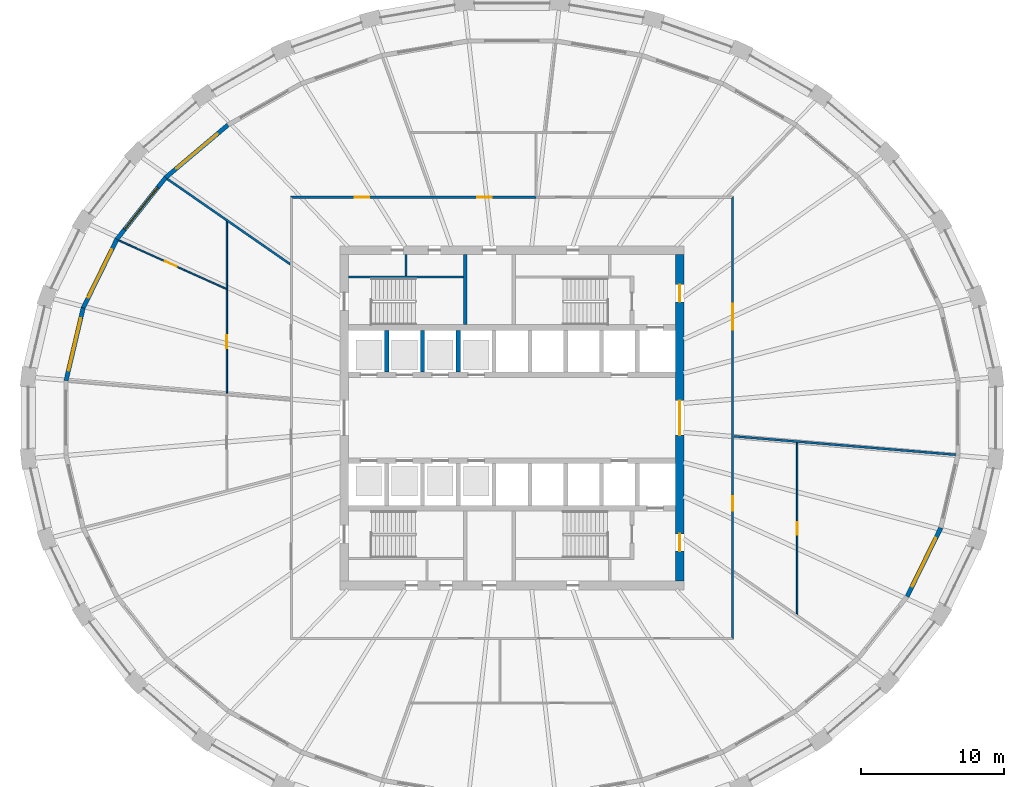
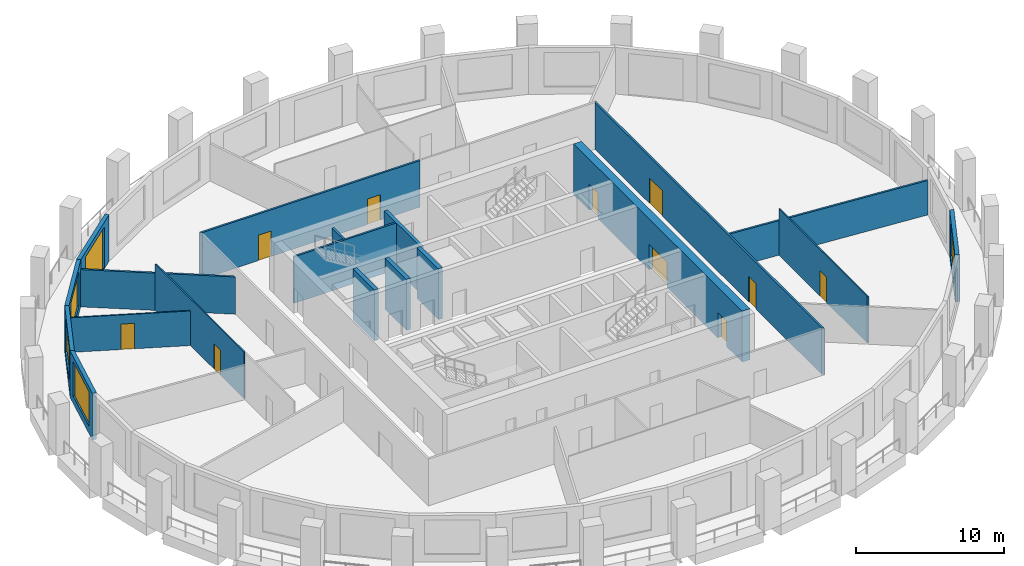
# One storey, part 5 of 10: 19 walls, 11 doors, 4 windows, 15 openings.
"""IFC4 building model written with IfcOpenShell, lengths in metres."""

from ifc_helpers import new_model, si_unit, direction, frame, frame_2d, origin, place, context, subcontext, project, spatial, polyline, rectangle, outline, extrude, material, layer, layer_set, type_object, element, fill, save


model = new_model("IFC4")

# Units and contexts
model_context = context("Model", 3, precision=1e-05, world=origin(), true_north=direction((0.0, 1.0)))
body_context = subcontext(model_context, "Body", "Model", "MODEL_VIEW")
ifc_project = project(units=[si_unit("LENGTHUNIT", "METRE"), si_unit("AREAUNIT", "SQUARE_METRE"), si_unit("VOLUMEUNIT", "CUBIC_METRE"), si_unit("PLANEANGLEUNIT", "RADIAN"), si_unit("MASSUNIT", "GRAM", prefix="KILO")], contexts=[model_context])

# Site, building, storey
site_placement = place(None, origin())
site = spatial("IfcSite", under=ifc_project, at=site_placement, CompositionType="ELEMENT")
building_placement = place(site_placement, origin())
building = spatial("IfcBuilding", under=site, at=building_placement, Name="Halqa Exchange Tower", CompositionType="ELEMENT")
storey_placement = place(building_placement, frame((0.0, 0.0, 163.300048828125)))
storey = spatial("IfcBuildingStorey", under=building, at=storey_placement, Name="L37", CompositionType="ELEMENT", Elevation=163.300048828125)

# Wall
ifc_material_1 = material(Name="Fire-rated gypsum board")
ifc_layer_1 = layer(ifc_material_1, 0.14990234375)
ifc_layer_set_1 = layer_set([ifc_layer_1], Name="Fire-rated gypsum board")
wall_type_1 = type_object("IfcWallType", Name="Fire partition EI 60 150", PredefinedType="PARTITIONING", material=ifc_layer_set_1)
wall_1_placement = place(storey_placement, frame((-24.059326171875, 16.673095703125, 0.0), z_axis=(0.0, 0.0, 1.0), x_axis=(0.821818585553, -0.569749254006, 0.0)))
element("IfcWall", 1, at=wall_1_placement, inside=storey, type_object=wall_type_1, Name="L37-PWL-003", PredefinedType="PARTITIONING", context=body_context, shape_type="SweptSolid", body=[
    extrude(outline(polyline([(0.0, -0.074951171875), (1.723876953125, -0.074951171875), (3.44775390625, -0.074951171875), (5.171630859375, -0.074951171875), (5.173095703125, -0.07373046875), (5.173828125, -0.074951171875), (6.9482421875, -0.074951171875), (8.72265625, -0.074951171875), (10.4970703125, -0.074951171875), (10.4970703125, -0.074462890625), (10.3935546875, 0.074951171875), (8.66552734375, 0.074951171875), (6.9375, 0.074951171875), (5.20947265625, 0.074951171875), (3.4814453125, 0.074951171875), (1.75341796875, 0.074951171875), (0.025146484375, 0.074951171875), (0.00439453125, -0.002197265625), (0.0, -0.071533203125), (0.0, -0.074951171875)])), origin(), (0.0, 0.0, 1.0), 3.079833984375),
])

# Wall, openings, doors
wall_2_placement = place(storey_placement, frame((-15.47509765625, 15.39990234375, 0.0), z_axis=(0.0, 0.0, 1.0), x_axis=(1.0, 0.0, 0.0)))
wall_2 = element("IfcWall", 2, at=wall_2_placement, inside=storey, type_object=wall_type_1, Name="L37-PWL-009", PredefinedType="PARTITIONING", context=body_context, shape_type="SweptSolid", body=[
    extrude(outline(polyline([(17.155029296875, 0.074951171875), (15.2490234375, 0.074951171875), (13.3427734375, 0.074951171875), (11.436767578125, 0.074951171875), (9.53076171875, 0.074951171875), (7.62451171875, 0.074951171875), (5.718505859375, 0.074951171875), (3.8125, 0.074951171875), (1.90625, 0.074951171875), (0.000244140625, 0.074951171875), (0.150146484375, -0.074951171875), (2.03955078125, -0.074951171875), (3.928955078125, -0.074951171875), (5.818359375, -0.074951171875), (7.707763671875, -0.074951171875), (9.597412109375, -0.074951171875), (11.48681640625, -0.074951171875), (13.376220703125, -0.074951171875), (15.265625, -0.074951171875), (17.155029296875, -0.074951171875), (17.155029296875, 0.074951171875)])), origin(), (0.0, 0.0, 1.0), 3.849853515625),
])
opening_1_placement = place(wall_2_placement, frame((13.050048828125, 0.0, 0.0)))
opening_1 = element("IfcOpeningElement", 3, at=opening_1_placement, cuts=wall_2, Name="Opening 11-02", PredefinedType="OPENING", context=body_context, shape_type="SweptSolid", body=[
    extrude(rectangle(XDim=1.0, YDim=2.10009765625, at=frame_2d((0.5, 1.050048828125))), frame((0.0, 0.0869140625, 0.0), z_axis=(0.0, -1.0, 0.0), x_axis=(1.0, 0.0, 0.0)), (0.0, 0.0, 1.0), 0.173828125),
])
opening_2_placement = place(wall_2_placement, frame((4.510009765625, 0.0, 0.0)))
opening_2 = element("IfcOpeningElement", 4, at=opening_2_placement, cuts=wall_2, Name="Opening 11-03", PredefinedType="OPENING", context=body_context, shape_type="SweptSolid", body=[
    extrude(rectangle(XDim=1.0, YDim=2.10009765625, at=frame_2d((0.5, 1.050048828125))), frame((0.0, 0.0869140625, 0.0), z_axis=(0.0, -1.0, 0.0), x_axis=(1.0, 0.0, 0.0)), (0.0, 0.0, 1.0), 0.173828125),
])
ifc_material_2 = material(Name="Steel fire door leaf", Category="steel")
door_type_1 = type_object("IfcDoorType", Name="Fire door FD30S 1000 x 2100", OperationType="SINGLE_SWING_LEFT", PredefinedType="DOOR", material=ifc_material_2)
door_1_placement = place(opening_1_placement, origin())
door_1 = element("IfcDoor", 5, at=door_1_placement, inside=storey, type_object=door_type_1, Name="L37-IDR-002", OperationType="SINGLE_SWING_LEFT", OverallHeight=2.10009765625, OverallWidth=1.0, PredefinedType="DOOR", context=body_context, shape_type="SweptSolid", body=[
    extrude(rectangle(XDim=1.0, YDim=2.10009765625, at=frame_2d((0.5, 1.050048828125))), frame((0.0, 0.02490234375, 0.0), z_axis=(0.0, -1.0, 0.0), x_axis=(1.0, 0.0, 0.0)), (0.0, 0.0, 1.0), 0.050048828125),
])
fill(opening_1, door_1)
door_2_placement = place(opening_2_placement, origin())
door_2 = element("IfcDoor", 6, at=door_2_placement, inside=storey, type_object=door_type_1, Name="L37-IDR-003", OperationType="SINGLE_SWING_LEFT", OverallHeight=2.10009765625, OverallWidth=1.0, PredefinedType="DOOR", context=body_context, shape_type="SweptSolid", body=[
    extrude(rectangle(XDim=1.0, YDim=2.10009765625, at=frame_2d((0.5, 1.050048828125))), frame((0.0, 0.02490234375, 0.0), z_axis=(0.0, -1.0, 0.0), x_axis=(1.0, 0.0, 0.0)), (0.0, 0.0, 1.0), 0.050048828125),
])
fill(opening_2, door_2)

wall_3_placement = place(storey_placement, frame((15.39990234375, -15.47509765625, 0.0), z_axis=(0.0, 0.0, 1.0), x_axis=(0.0, 1.0, 0.0)))
wall_3 = element("IfcWall", 7, at=wall_3_placement, inside=storey, type_object=wall_type_1, Name="L37-PWL-022", PredefinedType="PARTITIONING", context=body_context, shape_type="SweptSolid", body=[
    extrude(outline(polyline([(0.000244140625, -0.074951171875), (1.9345703125, -0.074951171875), (3.868896484375, -0.074951171875), (5.80322265625, -0.074951171875), (7.73779296875, -0.074951171875), (9.672119140625, -0.074951171875), (11.6064453125, -0.074951171875), (13.540771484375, -0.074951171875), (15.47509765625, -0.074951171875), (17.409423828125, -0.074951171875), (19.34375, -0.074951171875), (21.278076171875, -0.074951171875), (23.21240234375, -0.074951171875), (25.14697265625, -0.074951171875), (27.081298828125, -0.074951171875), (29.015625, -0.074951171875), (30.949951171875, -0.074951171875), (30.800048828125, 0.074951171875), (28.884521484375, 0.074951171875), (26.96875, 0.074951171875), (25.05322265625, 0.074951171875), (23.1376953125, 0.074951171875), (21.221923828125, 0.074951171875), (19.306396484375, 0.074951171875), (17.390625, 0.074951171875), (15.47509765625, 0.074951171875), (13.5595703125, 0.074951171875), (11.643798828125, 0.074951171875), (9.728271484375, 0.074951171875), (7.8125, 0.074951171875), (5.89697265625, 0.074951171875), (3.9814453125, 0.074951171875), (2.065673828125, 0.074951171875), (0.150146484375, 0.074951171875), (0.000244140625, -0.074951171875)])), origin(), (0.0, 0.0, 1.0), 3.849853515625),
])
opening_3_placement = place(wall_3_placement, frame((9.0, 0.0, 0.0)))
opening_3 = element("IfcOpeningElement", 8, at=opening_3_placement, cuts=wall_3, Name="Opening 11-10", PredefinedType="OPENING", context=body_context, shape_type="SweptSolid", body=[
    extrude(rectangle(XDim=1.0, YDim=2.10009765625, at=frame_2d((0.5, 1.050048828125))), frame((0.0, 0.0869140625, 0.0), z_axis=(0.0, -1.0, 0.0), x_axis=(1.0, 0.0, 0.0)), (0.0, 0.0, 1.0), 0.173828125),
])
opening_4_placement = place(wall_3_placement, frame((21.635009765625, 0.0, 0.0)))
opening_4 = element("IfcOpeningElement", 9, at=opening_4_placement, cuts=wall_3, Name="Opening 11-11", PredefinedType="OPENING", context=body_context, shape_type="SweptSolid", body=[
    extrude(rectangle(XDim=1.800048828125, YDim=2.10009765625, at=frame_2d((0.89990234375, 1.050048828125))), frame((0.0, 0.0869140625, 0.0), z_axis=(0.0, -1.0, 0.0), x_axis=(1.0, 0.0, 0.0)), (0.0, 0.0, 1.0), 0.173828125),
])
door_3_placement = place(opening_3_placement, frame((1.0, 0.0, 0.0), z_axis=(0.0, 0.0, 1.0), x_axis=(-1.0, 0.0, 0.0)))
door_3 = element("IfcDoor", 10, at=door_3_placement, inside=storey, type_object=door_type_1, Name="L37-IDR-010", OperationType="SINGLE_SWING_LEFT", OverallHeight=2.10009765625, OverallWidth=1.0, PredefinedType="DOOR", context=body_context, shape_type="SweptSolid", body=[
    extrude(rectangle(XDim=1.0, YDim=2.10009765625, at=frame_2d((0.5, 1.050048828125))), frame((0.0, 0.02490234375, 0.0), z_axis=(0.0, -1.0, 0.0), x_axis=(1.0, 0.0, 0.0)), (0.0, 0.0, 1.0), 0.050048828125),
])
fill(opening_3, door_3)
door_type_2 = type_object("IfcDoorType", Name="Fire door FD30S double 1800 x 2100", OperationType="DOUBLE_DOOR_SINGLE_SWING", PredefinedType="DOOR", material=ifc_material_2)
door_4_placement = place(opening_4_placement, frame((1.800048828125, 0.0, 0.0), z_axis=(0.0, 0.0, 1.0), x_axis=(-1.0, 0.0, 0.0)))
door_4 = element("IfcDoor", 11, at=door_4_placement, inside=storey, type_object=door_type_2, Name="L37-IDR-011", OperationType="DOUBLE_DOOR_SINGLE_SWING", OverallHeight=2.10009765625, OverallWidth=1.800048828125, PredefinedType="DOOR", context=body_context, shape_type="SweptSolid", body=[
    extrude(rectangle(XDim=1.800048828125, YDim=2.10009765625, at=frame_2d((0.89990234375, 1.050048828125))), frame((0.0, 0.02490234375, 0.0), z_axis=(0.0, -1.0, 0.0), x_axis=(1.0, 0.0, 0.0)), (0.0, 0.0, 1.0), 0.050048828125),
])
fill(opening_4, door_4)

# Wall
wall_4_placement = place(storey_placement, frame((15.46923828125, -1.285888671875, 0.0), z_axis=(0.0, 0.0, 1.0), x_axis=(0.996560145348, -0.082872653534, 0.0)))
element("IfcWall", 12, at=wall_4_placement, inside=storey, type_object=wall_type_1, Name="L37-PWL-024", PredefinedType="PARTITIONING", context=body_context, shape_type="SweptSolid", body=[
    extrude(outline(polyline([(0.011962890625, -0.074951171875), (1.50390625, -0.074951171875), (2.995849609375, -0.074951171875), (4.48779296875, -0.074951171875), (4.50244140625, -0.07373046875), (4.50244140625, -0.074951171875), (6.3427734375, -0.074951171875), (8.18310546875, -0.074951171875), (10.0234375, -0.074951171875), (11.86376953125, -0.074951171875), (13.7041015625, -0.074951171875), (15.54443359375, -0.074951171875), (15.548828125, -0.045166015625), (15.548828125, 0.074951171875), (13.605224609375, 0.074951171875), (11.66162109375, 0.074951171875), (9.718017578125, 0.074951171875), (7.7744140625, 0.074951171875), (5.830810546875, 0.074951171875), (3.88720703125, 0.074951171875), (1.943603515625, 0.074951171875), (0.0, 0.074951171875), (0.0, 0.069580078125), (0.011962890625, -0.074951171875)])), origin(), (0.0, 0.0, 1.0), 2.849853515625),
])

# Wall, opening, door
ifc_material_3 = material(Name="Gypsum board")
ifc_layer_2 = layer(ifc_material_3, 0.10009765625)
ifc_layer_set_2 = layer_set([ifc_layer_2], Name="Gypsum board")
wall_type_2 = type_object("IfcWallType", Name="Partition 100 gypsum", PredefinedType="PARTITIONING", material=ifc_layer_set_2)
wall_5_placement = place(storey_placement, frame((-19.89990234375, 1.7255859375, 0.0), z_axis=(0.0, 0.0, 1.0), x_axis=(0.0, 1.0, 0.0)))
wall_5 = element("IfcWall", 13, at=wall_5_placement, inside=storey, type_object=wall_type_2, Name="L37-PWL-005", PredefinedType="PARTITIONING", context=body_context, shape_type="SweptSolid", body=[
    extrude(outline(polyline([(0.0, -0.050048828125), (1.98974609375, -0.050048828125), (3.979248046875, -0.050048828125), (5.968994140625, -0.050048828125), (7.958740234375, -0.050048828125), (9.948486328125, -0.050048828125), (11.93798828125, -0.050048828125), (12.0068359375, 0.04931640625), (12.0068359375, 0.050048828125), (10.448486328125, 0.050048828125), (8.89013671875, 0.050048828125), (7.331787109375, 0.050048828125), (7.330810546875, 0.0478515625), (7.325927734375, 0.050048828125), (5.49658203125, 0.050048828125), (3.6669921875, 0.050048828125), (1.837646484375, 0.050048828125), (0.008056640625, 0.050048828125), (0.0, -0.046875), (0.0, -0.050048828125)])), origin(), (0.0, 0.0, 1.0), 3.849853515625),
])
opening_5_placement = place(wall_5_placement, frame((3.139404296875, 0.0, 0.0)))
opening_5 = element("IfcOpeningElement", 14, at=opening_5_placement, cuts=wall_5, Name="Opening 11-15", PredefinedType="OPENING", context=body_context, shape_type="SweptSolid", body=[
    extrude(rectangle(XDim=0.89990234375, YDim=2.10009765625, at=frame_2d((0.449951171875, 1.050048828125))), frame((0.0, 0.06201171875, 0.0), z_axis=(0.0, -1.0, 0.0), x_axis=(1.0, 0.0, 0.0)), (0.0, 0.0, 1.0), 0.1240234375),
])
ifc_material_4 = material(Name="Timber door leaf", Category="wood")
door_type_3 = type_object("IfcDoorType", Name="Door 900 x 2100", OperationType="SINGLE_SWING_LEFT", PredefinedType="DOOR", material=ifc_material_4)
door_5_placement = place(opening_5_placement, frame((0.89990234375, 0.0, 0.0), z_axis=(0.0, 0.0, 1.0), x_axis=(-1.0, 0.0, 0.0)))
door_5 = element("IfcDoor", 15, at=door_5_placement, inside=storey, type_object=door_type_3, Name="L37-IDR-015", OperationType="SINGLE_SWING_LEFT", OverallHeight=2.10009765625, OverallWidth=0.89990234375, PredefinedType="DOOR", context=body_context, shape_type="SweptSolid", body=[
    extrude(rectangle(XDim=0.89990234375, YDim=2.10009765625, at=frame_2d((0.449951171875, 1.050048828125))), frame((0.0, 0.02490234375, 0.0), z_axis=(0.0, -1.0, 0.0), x_axis=(1.0, 0.0, 0.0)), (0.0, 0.0, 1.0), 0.050048828125),
])
fill(opening_5, door_5)

wall_6_placement = place(storey_placement, frame((-19.9296875, 8.993408203125, 0.0), z_axis=(0.0, 0.0, 1.0), x_axis=(-0.911442933079, 0.411426518033, 0.0)))
wall_6 = element("IfcWall", 16, at=wall_6_placement, inside=storey, type_object=wall_type_2, Name="L37-PWL-006", PredefinedType="PARTITIONING", context=body_context, shape_type="SweptSolid", body=[
    extrude(outline(polyline([(0.044921875, -0.050048828125), (1.682861328125, -0.050048828125), (3.320556640625, -0.050048828125), (4.95849609375, -0.050048828125), (6.596435546875, -0.050048828125), (8.234130859375, -0.050048828125), (8.246826171875, 0.00048828125), (8.248291015625, 0.045654296875), (8.248291015625, 0.050048828125), (6.5986328125, 0.050048828125), (4.948974609375, 0.050048828125), (3.29931640625, 0.050048828125), (1.649658203125, 0.050048828125), (0.0, 0.050048828125), (0.0, 0.04931640625), (0.044921875, -0.050048828125)])), origin(), (0.0, 0.0, 1.0), 2.85986328125),
])
opening_6_placement = place(wall_6_placement, frame((3.807373046875, 0.0, 0.0)))
opening_6 = element("IfcOpeningElement", 17, at=opening_6_placement, cuts=wall_6, Name="Opening 11-16", PredefinedType="OPENING", context=body_context, shape_type="SweptSolid", body=[
    extrude(rectangle(XDim=0.89990234375, YDim=2.10009765625, at=frame_2d((0.449951171875, 1.050048828125))), frame((0.0, 0.06201171875, 0.0), z_axis=(0.0, -1.0, 0.0), x_axis=(1.0, 0.0, 0.0)), (0.0, 0.0, 1.0), 0.1240234375),
])
door_6_placement = place(opening_6_placement, frame((0.89990234375, 0.0, 0.0), z_axis=(0.0, 0.0, 1.0), x_axis=(-1.0, 0.0, 0.0)))
door_6 = element("IfcDoor", 18, at=door_6_placement, inside=storey, type_object=door_type_3, Name="L37-IDR-016", OperationType="SINGLE_SWING_RIGHT", OverallHeight=2.10009765625, OverallWidth=0.89990234375, PredefinedType="DOOR", context=body_context, shape_type="SweptSolid", body=[
    extrude(rectangle(XDim=0.89990234375, YDim=2.10009765625, at=frame_2d((0.449951171875, 1.050048828125))), frame((0.0, 0.02490234375, 0.0), z_axis=(0.0, -1.0, 0.0), x_axis=(1.0, 0.0, 0.0)), (0.0, 0.0, 1.0), 0.050048828125),
])
fill(opening_6, door_6)

wall_7_placement = place(storey_placement, frame((19.89990234375, -1.7255859375, 0.0), z_axis=(0.0, 0.0, 1.0), x_axis=(0.0, -1.0, 0.0)))
wall_7 = element("IfcWall", 19, at=wall_7_placement, inside=storey, type_object=wall_type_2, Name="L37-PWL-025", PredefinedType="PARTITIONING", context=body_context, shape_type="SweptSolid", body=[
    extrude(outline(polyline([(0.0, -0.050048828125), (1.98974609375, -0.050048828125), (3.979248046875, -0.050048828125), (5.968994140625, -0.050048828125), (7.958740234375, -0.050048828125), (9.948486328125, -0.050048828125), (11.93798828125, -0.050048828125), (12.0068359375, 0.04931640625), (12.0068359375, 0.050048828125), (10.007080078125, 0.050048828125), (8.00732421875, 0.050048828125), (6.00732421875, 0.050048828125), (4.007568359375, 0.050048828125), (2.0078125, 0.050048828125), (0.008056640625, 0.050048828125), (0.0, -0.046875), (0.0, -0.050048828125)])), origin(), (0.0, 0.0, 1.0), 3.849853515625),
])
opening_7_placement = place(wall_7_placement, frame((5.54443359375, 0.0, 0.0)))
opening_7 = element("IfcOpeningElement", 20, at=opening_7_placement, cuts=wall_7, Name="Opening 11-19", PredefinedType="OPENING", context=body_context, shape_type="SweptSolid", body=[
    extrude(rectangle(XDim=0.89990234375, YDim=2.10009765625, at=frame_2d((0.449951171875, 1.050048828125))), frame((0.0, 0.06201171875, 0.0), z_axis=(0.0, -1.0, 0.0), x_axis=(1.0, 0.0, 0.0)), (0.0, 0.0, 1.0), 0.1240234375),
])
door_7_placement = place(opening_7_placement, frame((0.89990234375, 0.0, 0.0), z_axis=(0.0, 0.0, 1.0), x_axis=(-1.0, 0.0, 0.0)))
door_7 = element("IfcDoor", 21, at=door_7_placement, inside=storey, type_object=door_type_3, Name="L37-IDR-019", OperationType="SINGLE_SWING_LEFT", OverallHeight=2.10009765625, OverallWidth=0.89990234375, PredefinedType="DOOR", context=body_context, shape_type="SweptSolid", body=[
    extrude(rectangle(XDim=0.89990234375, YDim=2.10009765625, at=frame_2d((0.449951171875, 1.050048828125))), frame((0.0, 0.02490234375, 0.0), z_axis=(0.0, -1.0, 0.0), x_axis=(1.0, 0.0, 0.0)), (0.0, 0.0, 1.0), 0.050048828125),
])
fill(opening_7, door_7)

# Walls
ifc_layer_3 = layer(ifc_material_3, 0.14990234375)
ifc_layer_set_3 = layer_set([ifc_layer_3], Name="Gypsum board")
wall_type_3 = type_object("IfcWallType", Name="Penthouse riser wall 150 gypsum", PredefinedType="PARTITIONING", material=ifc_layer_set_3)
wall_8_placement = place(storey_placement, frame((-7.39990234375, 9.89990234375, 0.0), z_axis=(0.0, 0.0, 1.0), x_axis=(0.0, 1.0, 0.0)))
element("IfcWall", 22, at=wall_8_placement, inside=storey, type_object=wall_type_3, Name="Partition W7.400 N", PredefinedType="PARTITIONING", context=body_context, shape_type="SweptSolid", body=[
    extrude(rectangle(XDim=1.5, YDim=0.14990234375, at=frame_2d((0.75, 0.0))), origin(), (0.0, 0.0, 1.0), 3.849853515625),
])
ifc_material_5 = material(Name="Concrete C60/75", Category="concrete")
ifc_layer_4 = layer(ifc_material_5, 0.300048828125)
ifc_layer_set_4 = layer_set([ifc_layer_4], Name="Concrete C60/75")
wall_type_4 = type_object("IfcWallType", Name="RC core wall 300", PredefinedType="SHEAR", material=ifc_layer_set_4)
for number, where, z_axis, x_axis, name in (
    (23, (-8.75, 3.199951171875, 0.0), (0.0, 0.0, 1.0), (0.0, 1.0, 0.0), "Shaft divider N1"),
    (24, (-6.25, 3.199951171875, 0.0), (0.0, 0.0, 1.0), (0.0, 1.0, 0.0), "Shaft divider N2"),
    (25, (-3.75, 3.199951171875, 0.0), (0.0, 0.0, 1.0), (0.0, 1.0, 0.0), "Shaft divider N3"),
):
    element("IfcWall", number, at=place(storey_placement, frame(where, z_axis=z_axis, x_axis=x_axis)), inside=storey, type_object=wall_type_4, Name=name, PredefinedType="SHEAR", context=body_context, shape_type="SweptSolid", body=[
        extrude(rectangle(XDim=2.900146484375, YDim=0.300048828125, at=frame_2d((1.4501953125, 0.0))), origin(), (0.0, 0.0, 1.0), 4.199951171875),
    ])

# Wall, openings, doors
ifc_material_6 = material(Name="Concrete C70/85", Category="concrete")
ifc_layer_5 = layer(ifc_material_6, 0.60009765625)
ifc_layer_set_5 = layer_set([ifc_layer_5], Name="Concrete C70/85")
wall_type_5 = type_object("IfcWallType", Name="RC core wall 600 C70/85", PredefinedType="SHEAR", material=ifc_layer_set_5)
wall_9_placement = place(storey_placement, frame((11.699951171875, -11.39990234375, 0.0), z_axis=(0.0, 0.0, 1.0), x_axis=(0.0, 1.0, 0.0)))
wall_9 = element("IfcWall", 26, at=wall_9_placement, inside=storey, type_object=wall_type_5, Name="Core wall east", PredefinedType="SHEAR", context=body_context, shape_type="SweptSolid", body=[
    extrude(rectangle(XDim=22.7998046875, YDim=0.60009765625, at=frame_2d((11.39990234375, 0.0))), origin(), (0.0, 0.0, 1.0), 4.199951171875),
])
opening_8_placement = place(wall_9_placement, frame((10.199951171875, 0.0, 0.0)))
opening_8 = element("IfcOpeningElement", 27, at=opening_8_placement, cuts=wall_9, Name="Opening T11-C14", PredefinedType="OPENING", context=body_context, shape_type="SweptSolid", body=[
    extrude(rectangle(XDim=2.39990234375, YDim=2.10009765625, at=frame_2d((1.199951171875, 1.050048828125))), frame((0.0, 0.31201171875, 0.0), z_axis=(0.0, -1.0, 0.0), x_axis=(1.0, 0.0, 0.0)), (0.0, 0.0, 1.0), 0.6240234375),
])
opening_9_placement = place(wall_9_placement, frame((19.5, 0.0, 0.0)))
opening_9 = element("IfcOpeningElement", 28, at=opening_9_placement, cuts=wall_9, Name="Opening T11-C19", PredefinedType="OPENING", context=body_context, shape_type="SweptSolid", body=[
    extrude(rectangle(XDim=1.199951171875, YDim=2.10009765625, at=frame_2d((0.60009765625, 1.050048828125))), frame((0.0, 0.31201171875, 0.0), z_axis=(0.0, -1.0, 0.0), x_axis=(1.0, 0.0, 0.0)), (0.0, 0.0, 1.0), 0.6240234375),
])
opening_10_placement = place(wall_9_placement, frame((2.10009765625, 0.0, 0.0)))
opening_10 = element("IfcOpeningElement", 29, at=opening_10_placement, cuts=wall_9, Name="Opening T11-C20", PredefinedType="OPENING", context=body_context, shape_type="SweptSolid", body=[
    extrude(rectangle(XDim=1.199951171875, YDim=2.10009765625, at=frame_2d((0.60009765625, 1.050048828125))), frame((0.0, 0.31201171875, 0.0), z_axis=(0.0, -1.0, 0.0), x_axis=(1.0, 0.0, 0.0)), (0.0, 0.0, 1.0), 0.6240234375),
])
door_type_4 = type_object("IfcDoorType", Name="Firefighting lobby door FD90 1200 x 2100", OperationType="SINGLE_SWING_RIGHT", PredefinedType="DOOR", material=ifc_material_2)
door_8_placement = place(opening_9_placement, origin())
door_8 = element("IfcDoor", 30, at=door_8_placement, inside=storey, type_object=door_type_4, Name="Firefighting lobby door", OperationType="SINGLE_SWING_RIGHT", OverallHeight=2.10009765625, OverallWidth=1.199951171875, PredefinedType="DOOR", context=body_context, shape_type="SweptSolid", body=[
    extrude(rectangle(XDim=1.199951171875, YDim=2.10009765625, at=frame_2d((0.60009765625, 1.050048828125))), frame((0.0, 0.02490234375, 0.0), z_axis=(0.0, -1.0, 0.0), x_axis=(1.0, 0.0, 0.0)), (0.0, 0.0, 1.0), 0.050048828125),
])
fill(opening_9, door_8)
door_9_placement = place(opening_10_placement, origin())
door_9 = element("IfcDoor", 31, at=door_9_placement, inside=storey, type_object=door_type_4, Name="Firefighting lobby door", OperationType="SINGLE_SWING_LEFT", OverallHeight=2.10009765625, OverallWidth=1.199951171875, PredefinedType="DOOR", context=body_context, shape_type="SweptSolid", body=[
    extrude(rectangle(XDim=1.199951171875, YDim=2.10009765625, at=frame_2d((0.60009765625, 1.050048828125))), frame((0.0, 0.02490234375, 0.0), z_axis=(0.0, -1.0, 0.0), x_axis=(1.0, 0.0, 0.0)), (0.0, 0.0, 1.0), 0.050048828125),
])
fill(opening_10, door_9)
door_type_5 = type_object("IfcDoorType", Name="Lobby double door FD60 2400 x 2100", OperationType="DOUBLE_DOOR_SINGLE_SWING", PredefinedType="DOOR", material=ifc_material_2)
door_10_placement = place(opening_8_placement, origin())
door_10 = element("IfcDoor", 32, at=door_10_placement, inside=storey, type_object=door_type_5, Name="Lift lobby double door", OperationType="DOUBLE_DOOR_SINGLE_SWING", OverallHeight=2.10009765625, OverallWidth=2.39990234375, PredefinedType="DOOR", context=body_context, shape_type="SweptSolid", body=[
    extrude(rectangle(XDim=2.39990234375, YDim=2.10009765625, at=frame_2d((1.199951171875, 1.050048828125))), frame((0.0, 0.02490234375, 0.0), z_axis=(0.0, -1.0, 0.0), x_axis=(1.0, 0.0, 0.0)), (0.0, 0.0, 1.0), 0.050048828125),
])
fill(opening_8, door_10)

# Walls
ifc_material_7 = material(Name="Concrete C30/37", Category="concrete")
ifc_layer_6 = layer(ifc_material_7, 0.14990234375)
ifc_layer_set_6 = layer_set([ifc_layer_6], Name="Concrete C30/37")
wall_type_6 = type_object("IfcWallType", Name="RC stair wall 150 C30/37", PredefinedType="SHEAR", material=ifc_layer_set_6)
wall_10_placement = place(storey_placement, frame((-11.39990234375, 9.824951171875, 0.0), z_axis=(0.0, 0.0, 1.0), x_axis=(1.0, 0.0, 0.0)))
element("IfcWall", 33, at=wall_10_placement, inside=storey, type_object=wall_type_6, Name="Stair ST1 north wall N", PredefinedType="SHEAR", context=body_context, shape_type="SweptSolid", body=[
    extrude(rectangle(XDim=8.0, YDim=0.14990234375, at=frame_2d((4.0, 0.0))), origin(), (0.0, 0.0, 1.0), 3.849853515625),
])
ifc_layer_7 = layer(ifc_material_7, 0.25)
ifc_layer_set_7 = layer_set([ifc_layer_7], Name="Concrete C30/37")
wall_type_7 = type_object("IfcWallType", Name="RC stair wall 250 C30/37", PredefinedType="SHEAR", material=ifc_layer_set_7)
wall_11_placement = place(storey_placement, frame((-3.27490234375, 6.5, 0.0), z_axis=(0.0, 0.0, 1.0), x_axis=(0.0, 1.0, 0.0)))
element("IfcWall", 34, at=wall_11_placement, inside=storey, type_object=wall_type_7, Name="Stair ST1 east wall N", PredefinedType="SHEAR", context=body_context, shape_type="SweptSolid", body=[
    extrude(rectangle(XDim=4.89990234375, YDim=0.25, at=frame_2d((2.449951171875, 0.0))), origin(), (0.0, 0.0, 1.0), 3.849853515625),
])

# Wall, opening, door
ifc_material_8 = material(Name="Limestone cladding", Category="masonry")
ifc_layer_8 = layer(ifc_material_8, 0.0400390625)
ifc_material_9 = material(Name="Ventilated cavity")
ifc_layer_9 = layer(ifc_material_9, 0.030029296875, ventilated=True)
ifc_material_10 = material(Name="Mineral wool insulation")
ifc_layer_10 = layer(ifc_material_10, 0.10009765625)
ifc_layer_11 = layer(ifc_material_7, 0.10009765625)
ifc_material_11 = material(Name="Internal plaster")
ifc_layer_12 = layer(ifc_material_11, 0.030029296875)
ifc_layer_set_8 = layer_set([ifc_layer_8, ifc_layer_9, ifc_layer_10, ifc_layer_11, ifc_layer_12], Name="Stone-faced insulated wall 300")
wall_type_8 = type_object("IfcWallType", Name="Stone-faced insulated wall 300", PredefinedType="STANDARD", material=ifc_layer_set_8)
wall_12_placement = place(storey_placement, frame((-19.8291015625, 20.434814453125, 0.0), z_axis=(0.0, 0.0, 1.0), x_axis=(-0.764076096085, -0.645126126732, 0.0)))
wall_12 = element("IfcWall", 35, at=wall_12_placement, inside=storey, type_object=wall_type_8, Name="Glass-line wall 12", PredefinedType="STANDARD", context=body_context, shape_type="SweptSolid", body=[
    extrude(outline(polyline([(-0.01416015625, -0.14990234375), (5.690185546875, -0.14990234375), (5.659912109375, 0.14990234375), (0.01416015625, 0.14990234375), (-0.01416015625, -0.14990234375)])), origin(), (0.0, 0.0, 1.0), 3.849853515625),
])
opening_11_placement = place(wall_12_placement, frame((0.96240234375, 0.0, 0.0)))
opening_11 = element("IfcOpeningElement", 36, at=opening_11_placement, cuts=wall_12, Name="Opening LG-F2-03", PredefinedType="OPENING", context=body_context, shape_type="SweptSolid", body=[
    extrude(rectangle(XDim=3.75, YDim=3.449951171875, at=frame_2d((1.875, 1.72509765625))), frame((0.0, 0.162109375, 0.0), z_axis=(0.0, -1.0, 0.0), x_axis=(1.0, 0.0, 0.0)), (0.0, 0.0, 1.0), 0.323974609375),
])
ifc_material_12 = material(Name="Clear low-emissivity glass in aluminium frame", Category="aluminium")
door_type_6 = type_object("IfcDoorType", Name="Glazed sliding loggia door 3750 x 3450", OperationType="DOUBLE_DOOR_SLIDING", PredefinedType="DOOR", material=ifc_material_12)
door_11_placement = place(opening_11_placement, origin())
door_11 = element("IfcDoor", 37, at=door_11_placement, inside=storey, type_object=door_type_6, Name="Loggia door 3", OperationType="DOUBLE_DOOR_SLIDING", OverallHeight=3.449951171875, OverallWidth=3.75, PredefinedType="DOOR", context=body_context, shape_type="SweptSolid", body=[
    extrude(rectangle(XDim=3.75, YDim=3.449951171875, at=frame_2d((1.875, 1.72509765625))), frame((0.0, 0.02490234375, 0.0), z_axis=(0.0, -1.0, 0.0), x_axis=(1.0, 0.0, 0.0)), (0.0, 0.0, 1.0), 0.050048828125),
])
fill(opening_11, door_11)

# Wall, opening, window
wall_13_placement = place(storey_placement, frame((-24.165283203125, 16.773681640625, 0.0), z_axis=(0.0, 0.0, 1.0), x_axis=(-0.620577705153, -0.784144955902, 0.0)))
wall_13 = element("IfcWall", 38, at=wall_13_placement, inside=storey, type_object=wall_type_8, Name="Glass-line wall 13", PredefinedType="STANDARD", context=body_context, shape_type="SweptSolid", body=[
    extrude(outline(polyline([(-0.01513671875, -0.14990234375), (5.5087890625, -0.14990234375), (5.4765625, 0.14990234375), (0.01513671875, 0.14990234375), (-0.01513671875, -0.14990234375)])), origin(), (0.0, 0.0, 1.0), 3.849853515625),
])
opening_12_placement = place(wall_13_placement, frame((0.871337890625, 0.0, 0.60009765625)))
opening_12 = element("IfcOpeningElement", 39, at=opening_12_placement, cuts=wall_13, Name="Opening W-F2-13", PredefinedType="OPENING", context=body_context, shape_type="SweptSolid", body=[
    extrude(rectangle(XDim=3.75, YDim=2.85009765625, at=frame_2d((1.875, 1.425048828125))), frame((0.0, 0.162109375, 0.0), z_axis=(0.0, -1.0, 0.0), x_axis=(1.0, 0.0, 0.0)), (0.0, 0.0, 1.0), 0.323974609375),
])
window_type = type_object("IfcWindowType", Name="Fixed clear glazed window 3750 x 2850", PartitioningType="TRIPLE_PANEL_VERTICAL", PredefinedType="WINDOW", material=ifc_material_12)
window_1_placement = place(opening_12_placement, origin())
window_1 = element("IfcWindow", 40, at=window_1_placement, inside=storey, type_object=window_type, Name="Window 2", OverallHeight=2.85009765625, OverallWidth=3.75, PartitioningType="TRIPLE_PANEL_VERTICAL", PredefinedType="WINDOW", context=body_context, shape_type="SweptSolid", body=[
    extrude(rectangle(XDim=3.75, YDim=2.85009765625, at=frame_2d((1.875, 1.425048828125))), frame((0.0, 0.030029296875, 0.0), z_axis=(0.0, -1.0, 0.0), x_axis=(1.0, 0.0, 0.0)), (0.0, 0.0, 1.0), 0.06005859375),
])
fill(opening_12, window_1)

wall_14_placement = place(storey_placement, frame((-27.573974609375, 12.466552734375, 0.0), z_axis=(0.0, 0.0, 1.0), x_axis=(-0.440444485575, -0.897779847806, 0.0)))
wall_14 = element("IfcWall", 41, at=wall_14_placement, inside=storey, type_object=wall_type_8, Name="Glass-line wall 14", PredefinedType="STANDARD", context=body_context, shape_type="SweptSolid", body=[
    extrude(outline(polyline([(-0.01611328125, -0.14990234375), (5.350341796875, -0.14990234375), (5.316650390625, 0.14990234375), (0.01611328125, 0.14990234375), (-0.01611328125, -0.14990234375)])), origin(), (0.0, 0.0, 1.0), 3.849853515625),
])
opening_13_placement = place(wall_14_placement, frame((0.791748046875, 0.0, 0.60009765625)))
opening_13 = element("IfcOpeningElement", 42, at=opening_13_placement, cuts=wall_14, Name="Opening W-F2-14", PredefinedType="OPENING", context=body_context, shape_type="SweptSolid", body=[
    extrude(rectangle(XDim=3.75, YDim=2.85009765625, at=frame_2d((1.875, 1.425048828125))), frame((0.0, 0.162109375, 0.0), z_axis=(0.0, -1.0, 0.0), x_axis=(1.0, 0.0, 0.0)), (0.0, 0.0, 1.0), 0.323974609375),
])
window_2_placement = place(opening_13_placement, origin())
window_2 = element("IfcWindow", 43, at=window_2_placement, inside=storey, type_object=window_type, Name="Window 2", OverallHeight=2.85009765625, OverallWidth=3.75, PartitioningType="TRIPLE_PANEL_VERTICAL", PredefinedType="WINDOW", context=body_context, shape_type="SweptSolid", body=[
    extrude(rectangle(XDim=3.75, YDim=2.85009765625, at=frame_2d((1.875, 1.425048828125))), frame((0.0, 0.030029296875, 0.0), z_axis=(0.0, -1.0, 0.0), x_axis=(1.0, 0.0, 0.0)), (0.0, 0.0, 1.0), 0.06005859375),
])
fill(opening_13, window_2)

wall_15_placement = place(storey_placement, frame((-29.923095703125, 7.67822265625, 0.0), z_axis=(0.0, 0.0, 1.0), x_axis=(-0.229297175564, -0.973356463624, 0.0)))
wall_15 = element("IfcWall", 44, at=wall_15_placement, inside=storey, type_object=wall_type_8, Name="Glass-line wall 15", PredefinedType="STANDARD", context=body_context, shape_type="SweptSolid", body=[
    extrude(outline(polyline([(-0.016845703125, -0.14990234375), (5.241943359375, -0.14990234375), (5.207275390625, 0.14990234375), (0.016845703125, 0.14990234375), (-0.016845703125, -0.14990234375)])), origin(), (0.0, 0.0, 1.0), 3.849853515625),
])
opening_14_placement = place(wall_15_placement, frame((0.7373046875, 0.0, 0.60009765625)))
opening_14 = element("IfcOpeningElement", 45, at=opening_14_placement, cuts=wall_15, Name="Opening W-F2-15", PredefinedType="OPENING", context=body_context, shape_type="SweptSolid", body=[
    extrude(rectangle(XDim=3.75, YDim=2.85009765625, at=frame_2d((1.875, 1.425048828125))), frame((0.0, 0.162109375, 0.0), z_axis=(0.0, -1.0, 0.0), x_axis=(1.0, 0.0, 0.0)), (0.0, 0.0, 1.0), 0.323974609375),
])
window_3_placement = place(opening_14_placement, origin())
window_3 = element("IfcWindow", 46, at=window_3_placement, inside=storey, type_object=window_type, Name="Window 2", OverallHeight=2.85009765625, OverallWidth=3.75, PartitioningType="TRIPLE_PANEL_VERTICAL", PredefinedType="WINDOW", context=body_context, shape_type="SweptSolid", body=[
    extrude(rectangle(XDim=3.75, YDim=2.85009765625, at=frame_2d((1.875, 1.425048828125))), frame((0.0, 0.030029296875, 0.0), z_axis=(0.0, -1.0, 0.0), x_axis=(1.0, 0.0, 0.0)), (0.0, 0.0, 1.0), 0.06005859375),
])
fill(opening_14, window_3)

wall_16_placement = place(storey_placement, frame((27.573974609375, -12.466552734375, 0.0), z_axis=(0.0, 0.0, 1.0), x_axis=(0.440444485575, 0.897779847806, 0.0)))
wall_16 = element("IfcWall", 47, at=wall_16_placement, inside=storey, type_object=wall_type_8, Name="Glass-line wall 30", PredefinedType="STANDARD", context=body_context, shape_type="SweptSolid", body=[
    extrude(outline(polyline([(-0.01611328125, -0.14990234375), (5.350341796875, -0.14990234375), (5.316650390625, 0.14990234375), (0.01611328125, 0.14990234375), (-0.01611328125, -0.14990234375)])), origin(), (0.0, 0.0, 1.0), 3.849853515625),
])
opening_15_placement = place(wall_16_placement, frame((0.791748046875, 0.0, 0.60009765625)))
opening_15 = element("IfcOpeningElement", 48, at=opening_15_placement, cuts=wall_16, Name="Opening W-F2-30", PredefinedType="OPENING", context=body_context, shape_type="SweptSolid", body=[
    extrude(rectangle(XDim=3.75, YDim=2.85009765625, at=frame_2d((1.875, 1.425048828125))), frame((0.0, 0.162109375, 0.0), z_axis=(0.0, -1.0, 0.0), x_axis=(1.0, 0.0, 0.0)), (0.0, 0.0, 1.0), 0.323974609375),
])
window_4_placement = place(opening_15_placement, origin())
window_4 = element("IfcWindow", 49, at=window_4_placement, inside=storey, type_object=window_type, Name="Window 2", OverallHeight=2.85009765625, OverallWidth=3.75, PartitioningType="TRIPLE_PANEL_VERTICAL", PredefinedType="WINDOW", context=body_context, shape_type="SweptSolid", body=[
    extrude(rectangle(XDim=3.75, YDim=2.85009765625, at=frame_2d((1.875, 1.425048828125))), frame((0.0, 0.030029296875, 0.0), z_axis=(0.0, -1.0, 0.0), x_axis=(1.0, 0.0, 0.0)), (0.0, 0.0, 1.0), 0.06005859375),
])
fill(opening_15, window_4)

save(model, "model.ifc")
